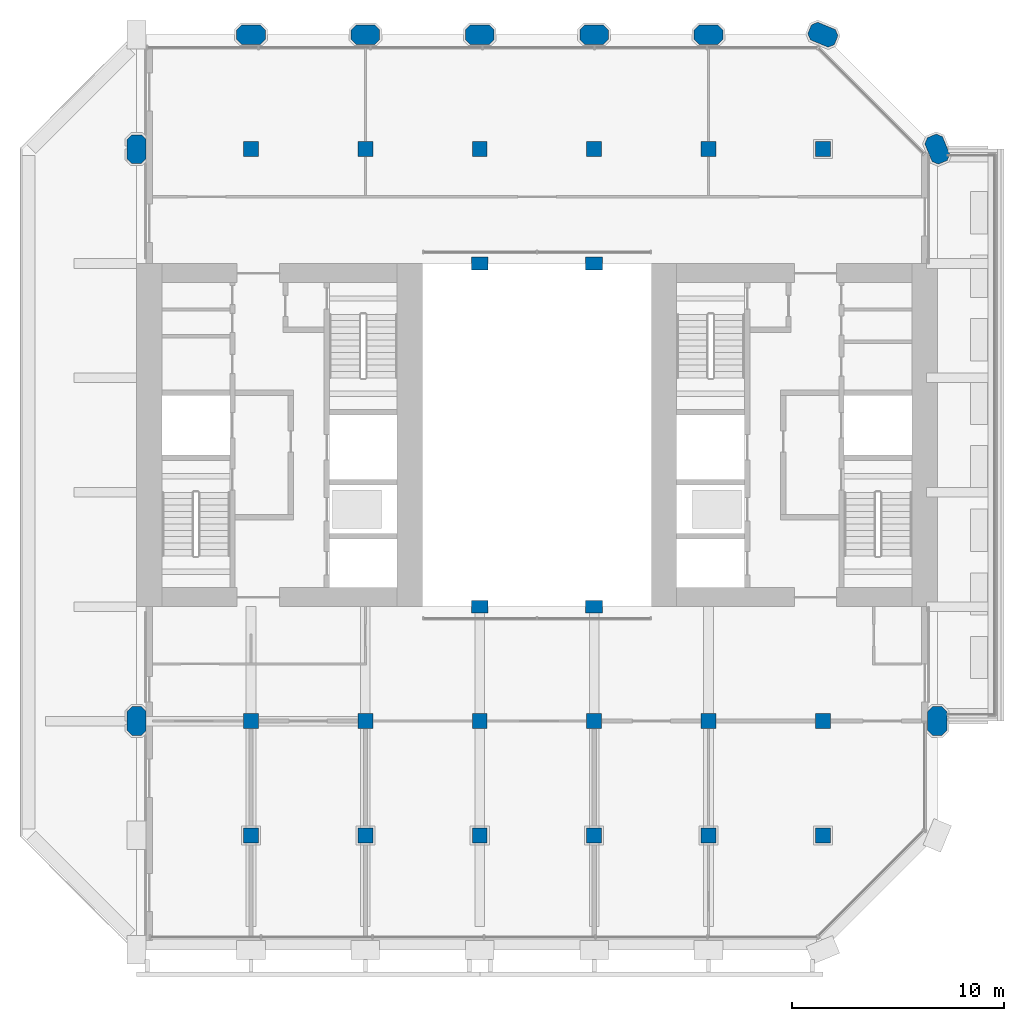
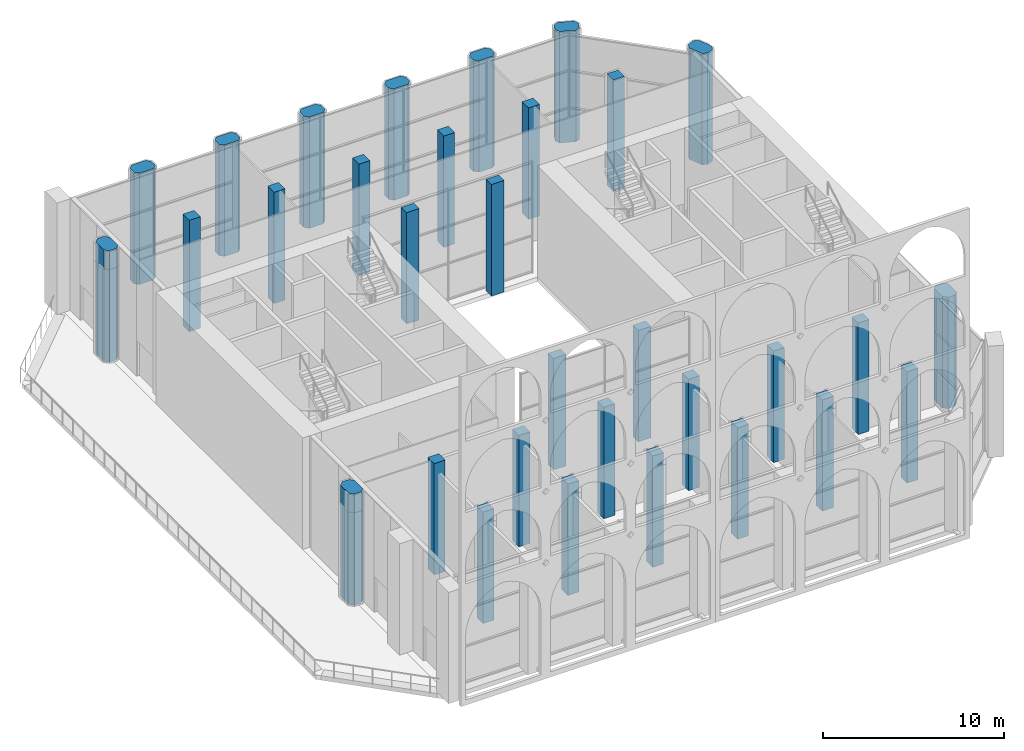
# One storey, part 1 of 20: 32 columns.
"""IFC4 building model written with IfcOpenShell, lengths in metres."""

from ifc_helpers import new_model, si_unit, direction, frame, origin, origin_2d, place, context, subcontext, project, spatial, polyline, rectangle, outline, extrude, material, material_profile, profile_set, type_object, element, save


model = new_model("IFC4")

# Units and contexts
model_context = context("Model", 3, precision=1e-05, world=origin(), true_north=direction((0.0, 1.0)))
body_context = subcontext(model_context, "Body", "Model", "MODEL_VIEW")
ifc_project = project(units=[si_unit("LENGTHUNIT", "METRE"), si_unit("AREAUNIT", "SQUARE_METRE"), si_unit("VOLUMEUNIT", "CUBIC_METRE"), si_unit("PLANEANGLEUNIT", "RADIAN"), si_unit("MASSUNIT", "GRAM", prefix="KILO")], contexts=[model_context])

# Site, building, storey
site_placement = place(None, origin())
site = spatial("IfcSite", under=ifc_project, at=site_placement, CompositionType="ELEMENT")
building_placement = place(site_placement, origin())
building = spatial("IfcBuilding", under=site, at=building_placement, Name="Tabaq Tower and Sports Hall", CompositionType="ELEMENT")
storey_placement = place(building_placement, frame((0.0, 0.0, 243.10009765625)))
storey = spatial("IfcBuildingStorey", under=building, at=storey_placement, Name="L60", CompositionType="ELEMENT", Elevation=243.10009765625)

# Columns
ifc_material_1 = material(Name="Concrete C40/50", Category="concrete")
ifc_material_profile_1 = material_profile(ifc_material_1, rectangle(XDim=0.800048828125, YDim=0.60009765625, at=origin_2d()), Name="ATRIUM COLUMN 800x600")
ifc_profile_set_1 = profile_set([ifc_material_profile_1], Name="Concrete C40/50")
column_type_1 = type_object("IfcColumnType", Name="RC COLUMN ATRIUM COLUMN 800x600 C40/50", PredefinedType="COLUMN", material=ifc_profile_set_1)
for number, where, z_axis, x_axis, name in (
    (1, (21.60009765625, 16.199951171875, 0.0), (0.0, 0.0, 1.0), (1.0, 0.0, 0.0), "Atrium Column 5/D L60"),
    (2, (27.0, 16.199951171875, 0.0), (0.0, 0.0, 1.0), (1.0, 0.0, 0.0), "Atrium Column 6/D L60"),
    (3, (21.60009765625, 32.39990234375, 0.0), (0.0, 0.0, 1.0), (1.0, 0.0, 0.0), "Atrium Column 5/G L60"),
    (4, (27.0, 32.39990234375, 0.0), (0.0, 0.0, 1.0), (1.0, 0.0, 0.0), "Atrium Column 6/G L60"),
):
    element("IfcColumn", number, at=place(storey_placement, frame(where, z_axis=z_axis, x_axis=x_axis)), inside=storey, type_object=column_type_1, Name=name, PredefinedType="COLUMN", context=body_context, shape_type="SweptSolid", body=[
        extrude(rectangle(XDim=0.800048828125, YDim=0.60009765625, at=origin_2d()), origin(), (0.0, 0.0, 1.0), 7.5),
    ])
ifc_material_2 = material(Name="Concrete C40/50", Category="concrete")
ifc_material_profile_2 = material_profile(ifc_material_2, rectangle(XDim=0.699951171875, YDim=0.699951171875, at=origin_2d()), Name="COLUMN 700x700")
ifc_profile_set_2 = profile_set([ifc_material_profile_2], Name="Concrete C40/50")
column_type_2 = type_object("IfcColumnType", Name="RC COLUMN COLUMN 700x700 C40/50", PredefinedType="COLUMN", material=ifc_profile_set_2)
for number, where, z_axis, x_axis, name in (
    (5, (10.800048828125, 5.39990234375, 0.0), (0.0, 0.0, 1.0), (1.0, 0.0, 0.0), "Column 3/B L60"),
    (6, (16.199951171875, 5.39990234375, 0.0), (0.0, 0.0, 1.0), (1.0, 0.0, 0.0), "Column 4/B L60"),
    (7, (21.60009765625, 5.39990234375, 0.0), (0.0, 0.0, 1.0), (1.0, 0.0, 0.0), "Column 5/B L60"),
    (8, (27.0, 5.39990234375, 0.0), (0.0, 0.0, 1.0), (1.0, 0.0, 0.0), "Column 6/B L60"),
    (9, (32.39990234375, 5.39990234375, 0.0), (0.0, 0.0, 1.0), (1.0, 0.0, 0.0), "Column 7/B L60"),
    (10, (37.800048828125, 5.39990234375, 0.0), (0.0, 0.0, 1.0), (1.0, 0.0, 0.0), "Column 8/B L60"),
    (11, (10.800048828125, 10.800048828125, 0.0), (0.0, 0.0, 1.0), (1.0, 0.0, 0.0), "Column 3/C L60"),
    (12, (16.199951171875, 10.800048828125, 0.0), (0.0, 0.0, 1.0), (1.0, 0.0, 0.0), "Column 4/C L60"),
    (13, (21.60009765625, 10.800048828125, 0.0), (0.0, 0.0, 1.0), (1.0, 0.0, 0.0), "Column 5/C L60"),
    (14, (27.0, 10.800048828125, 0.0), (0.0, 0.0, 1.0), (1.0, 0.0, 0.0), "Column 6/C L60"),
    (15, (32.39990234375, 10.800048828125, 0.0), (0.0, 0.0, 1.0), (1.0, 0.0, 0.0), "Column 7/C L60"),
    (16, (37.800048828125, 10.800048828125, 0.0), (0.0, 0.0, 1.0), (1.0, 0.0, 0.0), "Column 8/C L60"),
    (17, (10.800048828125, 37.800048828125, 0.0), (0.0, 0.0, 1.0), (1.0, 0.0, 0.0), "Column 3/H L60"),
    (18, (16.199951171875, 37.800048828125, 0.0), (0.0, 0.0, 1.0), (1.0, 0.0, 0.0), "Column 4/H L60"),
    (19, (21.60009765625, 37.800048828125, 0.0), (0.0, 0.0, 1.0), (1.0, 0.0, 0.0), "Column 5/H L60"),
    (20, (27.0, 37.800048828125, 0.0), (0.0, 0.0, 1.0), (1.0, 0.0, 0.0), "Column 6/H L60"),
    (21, (32.39990234375, 37.800048828125, 0.0), (0.0, 0.0, 1.0), (1.0, 0.0, 0.0), "Column 7/H L60"),
    (22, (37.800048828125, 37.800048828125, 0.0), (0.0, 0.0, 1.0), (1.0, 0.0, 0.0), "Column 8/H L60"),
):
    element("IfcColumn", number, at=place(storey_placement, frame(where, z_axis=z_axis, x_axis=x_axis)), inside=storey, type_object=column_type_2, Name=name, PredefinedType="COLUMN", context=body_context, shape_type="SweptSolid", body=[
        extrude(rectangle(XDim=0.699951171875, YDim=0.699951171875, at=origin_2d()), origin(), (0.0, 0.0, 1.0), 7.5),
    ])
ifc_material_3 = material(Name="Concrete C40/50", Category="concrete")
ifc_material_profile_3 = material_profile(ifc_material_3, outline(polyline([(-0.449951171875, -0.449951171875), (0.449951171875, -0.449951171875), (0.675048828125, -0.22509765625), (0.675048828125, 0.22509765625), (0.449951171875, 0.449951171875), (-0.449951171875, 0.449951171875), (-0.675048828125, 0.22509765625), (-0.675048828125, -0.22509765625), (-0.449951171875, -0.449951171875)])), Name="PIER 1350x900")
ifc_profile_set_3 = profile_set([ifc_material_profile_3], Name="Concrete C40/50")
column_type_3 = type_object("IfcColumnType", Name="RC COLUMN PIER 1350x900 C40/50", PredefinedType="COLUMN", material=ifc_profile_set_3)
for number, where, z_axis, x_axis, name in (
    (23, (5.39990234375, 10.800048828125, 0.0), (0.0, 0.0, 1.0), (0.0, 1.0, 0.0), "Pier 2/C L60"),
    (24, (43.199951171875, 10.800048828125, 0.0), (0.0, 0.0, 1.0), (0.0, 1.0, 0.0), "Pier 9/C L60"),
    (25, (5.39990234375, 37.800048828125, 0.0), (0.0, 0.0, 1.0), (0.0, 1.0, 0.0), "Pier 2/H L60"),
    (26, (43.199951171875, 37.800048828125, 0.0), (0.0, 0.0, 1.0), (-0.382683432365, 0.923879532511, 0.0), "Pier 9/H L60"),
    (27, (10.800048828125, 43.199951171875, 0.0), (0.0, 0.0, 1.0), (1.0, 0.0, 0.0), "Pier 3/I L60"),
    (28, (16.199951171875, 43.199951171875, 0.0), (0.0, 0.0, 1.0), (1.0, 0.0, 0.0), "Pier 4/I L60"),
    (29, (21.60009765625, 43.199951171875, 0.0), (0.0, 0.0, 1.0), (1.0, 0.0, 0.0), "Pier 5/I L60"),
    (30, (27.0, 43.199951171875, 0.0), (0.0, 0.0, 1.0), (1.0, 0.0, 0.0), "Pier 6/I L60"),
    (31, (32.39990234375, 43.199951171875, 0.0), (0.0, 0.0, 1.0), (1.0, 0.0, 0.0), "Pier 7/I L60"),
    (32, (37.800048828125, 43.199951171875, 0.0), (0.0, 0.0, 1.0), (-0.923879532511, 0.382683432365, 0.0), "Pier 8/I L60"),
):
    element("IfcColumn", number, at=place(storey_placement, frame(where, z_axis=z_axis, x_axis=x_axis)), inside=storey, type_object=column_type_3, Name=name, PredefinedType="COLUMN", context=body_context, shape_type="SweptSolid", body=[
        extrude(outline(polyline([(-0.449951171875, -0.449951171875), (0.449951171875, -0.449951171875), (0.675048828125, -0.22509765625), (0.675048828125, 0.22509765625), (0.449951171875, 0.449951171875), (-0.449951171875, 0.449951171875), (-0.675048828125, 0.22509765625), (-0.675048828125, -0.22509765625), (-0.449951171875, -0.449951171875)])), origin(), (0.0, 0.0, 1.0), 7.5),
    ])

save(model, "model.ifc")
